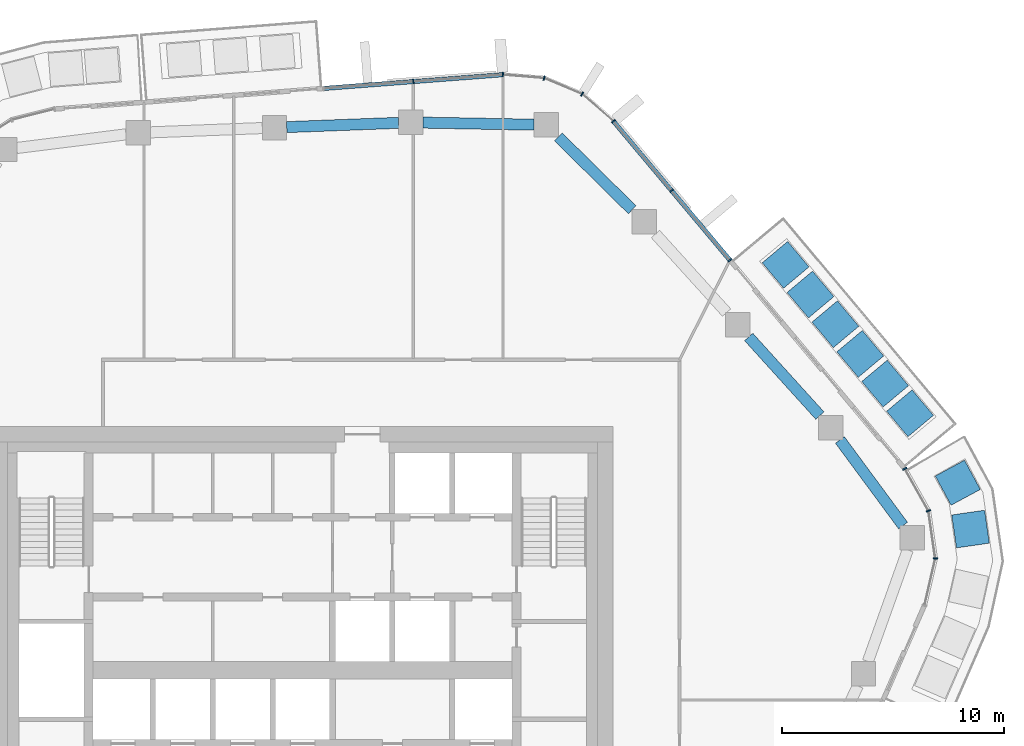
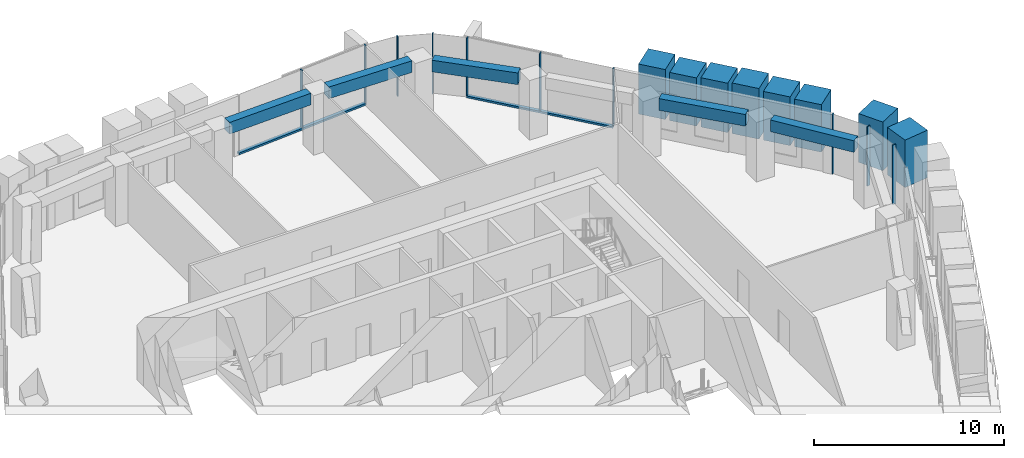
# One storey, part 8 of 20: 20 members, 5 beams, 4 elements without a shape of their own.
"""IFC4 building model written with IfcOpenShell, lengths in metres."""

import ifcopenshell
import ifcopenshell.guid

model = None  # the IFC model being written
_history = None  # IfcOwnerHistory: only IFC2X3 demands one
_inside = {}  # id of a spatial element -> (the spatial element, [elements in it])
_under = {}  # id of a project, library or spatial element -> (it, [spatial elements below it])
_declared = {}  # id of a project -> (the project, [libraries it declares])
_typed = {}  # id of a type object -> (the type object, [elements of that type])
_made_of = {}  # id of a material, layer set ... -> (it, [elements and type objects made of it])


def new_model(schema):
    """Start an empty IFC model of exactly this schema.

    Asked for "IFC4X3", IfcOpenShell would pick the latest addendum, in which some entities
    have other attributes; the version numbers below select the first issue.
    IFC2X3 requires an IfcOwnerHistory on every rooted entity: one is made here for all.
    """
    global model, _history
    if schema == "IFC4X3":
        model = ifcopenshell.file(schema_version=(4, 3, 0, 0))
    else:
        model = ifcopenshell.file(schema=schema)
    _inside.clear()
    _under.clear()
    _declared.clear()
    _typed.clear()
    _made_of.clear()
    _history = None
    if model.schema == "IFC2X3":
        org = make("IfcOrganization", Name="unknown")
        user = make(
            "IfcPersonAndOrganization",
            ThePerson=make("IfcPerson", FamilyName="unknown"),
            TheOrganization=org,
        )
        app = make(
            "IfcApplication",
            ApplicationDeveloper=org,
            Version="unknown",
            ApplicationFullName="unknown",
            ApplicationIdentifier="unknown",
        )
        _history = make(
            "IfcOwnerHistory",
            OwningUser=user,
            OwningApplication=app,
            ChangeAction="ADDED",
            CreationDate=0,
        )
    return model


def make(cls, **values):
    """One entity of the class cls with the attributes given. An attribute that is None is left unset."""
    return model.create_entity(
        cls, **{name: value for name, value in values.items() if value is not None}
    )


def rooted(cls, **values):
    """An entity with a GlobalId (a new one), such as an element, a storey or a relation."""
    return make(cls, GlobalId=ifcopenshell.guid.new(), OwnerHistory=_history, **values)


def si_unit(unit_type, name, prefix=None):
    """IfcSIUnit, for example si_unit("LENGTHUNIT", "METRE", prefix="MILLI")."""
    return make("IfcSIUnit", UnitType=unit_type, Prefix=prefix, Name=name)


def assignment(units):
    """IfcUnitAssignment: the units of a project."""
    return None if units is None else make("IfcUnitAssignment", Units=units)


def point(xyz):
    """IfcCartesianPoint."""
    return None if xyz is None else make("IfcCartesianPoint", Coordinates=xyz)


def direction(xyz):
    """IfcDirection."""
    return None if xyz is None else make("IfcDirection", DirectionRatios=xyz)


def frame(location, z_axis=None, x_axis=None):
    """IfcAxis2Placement3D, a coordinate frame: its origin and axes. An axis left out is left unset."""
    return make(
        "IfcAxis2Placement3D",
        Location=point(location),
        Axis=direction(z_axis),
        RefDirection=direction(x_axis),
    )


def frame_2d(location, x_axis=None):
    """IfcAxis2Placement2D, a coordinate frame in the plane: its origin and x axis."""
    return make(
        "IfcAxis2Placement2D", Location=point(location), RefDirection=direction(x_axis)
    )


def origin():
    """The frame at (0, 0, 0) with its axes left unset."""
    return frame((0.0, 0.0, 0.0))


def origin_2d():
    """The frame at (0, 0) in the plane with its x axis left unset."""
    return frame_2d((0.0, 0.0))


def place(relative_to, where):
    """IfcLocalPlacement: puts the frame where relative to a parent placement (None: the world)."""
    return make(
        "IfcLocalPlacement", PlacementRelTo=relative_to, RelativePlacement=where
    )


def context(
    kind, dimensions, precision=None, world=None, true_north=None, identifier=None
):
    """IfcGeometricRepresentationContext, for example the 3D "Model" context."""
    return make(
        "IfcGeometricRepresentationContext",
        ContextIdentifier=identifier,
        ContextType=kind,
        CoordinateSpaceDimension=dimensions,
        Precision=precision,
        WorldCoordinateSystem=world,
        TrueNorth=true_north,
    )


def subcontext(parent, identifier, kind, view, scale=None):
    """IfcGeometricRepresentationSubContext, for example "Body" below "Model"."""
    return make(
        "IfcGeometricRepresentationSubContext",
        ContextIdentifier=identifier,
        ContextType=kind,
        ParentContext=parent,
        TargetScale=scale,
        TargetView=view,
    )


def project(units=None, contexts=None):
    """IfcProject with its units and contexts."""
    return rooted(
        "IfcProject",
        Name="project",
        RepresentationContexts=contexts,
        UnitsInContext=assignment(units),
    )


def spatial(cls, under=None, at=None, **own):
    """A site, building, storey or space (cls), placed at a placement, below another one or the project."""
    s = rooted(cls, ObjectPlacement=at, **own)
    if under is not None:
        _under.setdefault(under.id(), (under, []))[1].append(s)
    return s


def profile(cls, at=None, kind="AREA", **sizes):
    """A parametric profile (cls). Its sizes go by their IFC names, for example OverallWidth=200.0."""
    return make(cls, ProfileType=kind, Position=at, **sizes)


def rectangle(**sizes):
    """IfcRectangleProfileDef."""
    return profile("IfcRectangleProfileDef", **sizes)


def extrude(swept, where, along, depth):
    """IfcExtrudedAreaSolid: the profile swept, set in the frame where, extruded along a direction by depth."""
    return make(
        "IfcExtrudedAreaSolid",
        SweptArea=swept,
        Position=where,
        ExtrudedDirection=direction(along),
        Depth=depth,
    )


def shape(context_of_items, identifier, shape_type, items):
    """IfcShapeRepresentation: the items that make up one representation, for example the "Body"."""
    return make(
        "IfcShapeRepresentation",
        ContextOfItems=context_of_items,
        RepresentationIdentifier=identifier,
        RepresentationType=shape_type,
        Items=items,
    )


def material(Name=None, Category=None):
    """IfcMaterial."""
    return make("IfcMaterial", Name=Name, Category=Category)


def layer(
    of_material, thickness, ventilated=None, Name=None, Category=None, Priority=None
):
    """IfcMaterialLayer: one layer of a wall or slab, of a material (None: an air gap)."""
    return make(
        "IfcMaterialLayer",
        Material=of_material,
        LayerThickness=thickness,
        IsVentilated=ventilated,
        Name=Name,
        Category=Category,
        Priority=Priority,
    )


def layer_set(layers, Name=None):
    """IfcMaterialLayerSet."""
    return make("IfcMaterialLayerSet", MaterialLayers=layers, LayerSetName=Name)


def material_profile(
    of_material, cross_section, Name=None, Category=None, Priority=None
):
    """IfcMaterialProfile: a cross section and its material."""
    return make(
        "IfcMaterialProfile",
        Name=Name,
        Material=of_material,
        Profile=cross_section,
        Priority=Priority,
        Category=Category,
    )


def profile_set(profiles, Name=None, composite=None):
    """IfcMaterialProfileSet."""
    return make(
        "IfcMaterialProfileSet",
        Name=Name,
        MaterialProfiles=profiles,
        CompositeProfile=composite,
    )


def made_of(thing, what):
    """Note that an element or type object is made of a material, layer set ...; save() writes the relation."""
    if what is not None:
        _made_of.setdefault(what.id(), (what, []))[1].append(thing)
    return thing


def type_object(cls, material=None, **own):
    """A type object (cls), such as IfcWallType, which elements share."""
    return made_of(rooted(cls, **own), material)


def element(
    cls,
    number,
    at=None,
    inside=None,
    cuts=None,
    type_object=None,
    material=None,
    context=None,
    identifier="Body",
    shape_type=None,
    held_by="IfcProductDefinitionShape",
    body=None,
    shapes=None,
    **own,
):
    """One element of the class cls, such as IfcWall. Its Tag is "e" and its number.

    at: its placement. inside: the storey or other place that contains it. cuts: it is an
    opening in that element (IfcRelVoidsElement). A single representation is given by context,
    identifier, shape_type and body (its items); several are given by shapes. held_by: the class
    of the entity that holds the representations. save() writes the other relations.
    """
    e = rooted(cls, Tag="e%d" % number, ObjectPlacement=at, **own)
    if body is not None:
        shapes = [shape(context, identifier, shape_type, body)]
    if shapes is not None:
        e.Representation = make(held_by, Representations=shapes)
    if inside is not None:
        _inside.setdefault(inside.id(), (inside, []))[1].append(e)
    if cuts is not None:
        rooted(
            "IfcRelVoidsElement", RelatingBuildingElement=cuts, RelatedOpeningElement=e
        )
    if type_object is not None:
        _typed.setdefault(type_object.id(), (type_object, []))[1].append(e)
    return made_of(e, material)


def aggregate(whole, parts):
    """IfcRelAggregates: a whole, such as a stair, and the parts it consists of."""
    return rooted("IfcRelAggregates", RelatingObject=whole, RelatedObjects=parts)


def save(model, path):
    """Write the relations noted so far, then the file.

    IfcRelAggregates (storeys below a building ...), IfcRelContainedInSpatialStructure (elements
    in a storey), IfcRelDefinesByType, IfcRelAssociatesMaterial and IfcRelDeclares: one each for
    every whole, place, type object, material and project.
    """
    for whole, parts in _under.values():
        aggregate(whole, parts)
    for where, things in _inside.values():
        rooted(
            "IfcRelContainedInSpatialStructure",
            RelatedElements=things,
            RelatingStructure=where,
        )
    for kind, things in _typed.values():
        rooted("IfcRelDefinesByType", RelatedObjects=things, RelatingType=kind)
    for what, things in _made_of.values():
        rooted("IfcRelAssociatesMaterial", RelatedObjects=things, RelatingMaterial=what)
    for by, libraries in _declared.values():
        rooted("IfcRelDeclares", RelatingContext=by, RelatedDefinitions=libraries)
    model.write(path)


model = new_model("IFC4")

# Units and contexts
model_context = context("Model", 3, precision=1e-05, world=origin(), true_north=direction((0.0, 1.0)))
body_context = subcontext(model_context, "Body", "Model", "MODEL_VIEW")
ifc_project = project(units=[si_unit("LENGTHUNIT", "METRE"), si_unit("AREAUNIT", "SQUARE_METRE"), si_unit("VOLUMEUNIT", "CUBIC_METRE"), si_unit("PLANEANGLEUNIT", "RADIAN"), si_unit("MASSUNIT", "GRAM", prefix="KILO")], contexts=[model_context])

# Site, building, storey
site_placement = place(None, origin())
site = spatial("IfcSite", under=ifc_project, at=site_placement, CompositionType="ELEMENT")
building_placement = place(site_placement, origin())
building = spatial("IfcBuilding", under=site, at=building_placement, Name="Dongbaek Canopy Tower", CompositionType="ELEMENT")
storey_placement = place(building_placement, frame((0.0, 0.0, 245.39990234375)))
storey = spatial("IfcBuildingStorey", under=building, at=storey_placement, Name="L51", CompositionType="ELEMENT", Elevation=245.39990234375)

# Curtain wall, members
ifc_material_1 = material(Name="Aluminium 6063-T6 pale anodised", Category="aluminium")
ifc_layer = layer(ifc_material_1, 0.199951171875)
ifc_layer_set = layer_set([ifc_layer], Name="CW-1 unitised tower curtain wall")
curtain_wall_type = type_object("IfcCurtainWallType", Name="CW-1 unitised tower curtain wall", PredefinedType="NOTDEFINED", material=ifc_layer_set)
curtain_wall_1_placement = place(storey_placement, origin())
curtain_wall_1 = element("IfcCurtainWall", 1, at=curtain_wall_1_placement, inside=storey, type_object=curtain_wall_type, Name="CW-1 curtain wall K0.1", PredefinedType="NOTDEFINED")
ifc_material_2 = material(Name="Aluminium 6063-T6 pale anodised", Category="aluminium")
ifc_material_profile_1 = material_profile(ifc_material_2, rectangle(XDim=0.199951171875, YDim=0.06005859375, at=origin_2d()), Name="CW-1 mullion 60 x 200")
ifc_profile_set_1 = profile_set([ifc_material_profile_1], Name="Aluminium 6063-T6 pale anodised")
member_type_1 = type_object("IfcMemberType", Name="CW-1 mullion 60 x 200", PredefinedType="MULLION", material=ifc_profile_set_1)
member_1_placement = place(storey_placement, frame((28.53955078125, 5.045654296875, 0.0), z_axis=(0.0, 0.0, 1.0), x_axis=(0.999117267787, -0.042008156467, 0.0)))
member_1 = element("IfcMember", 2, at=member_1_placement, type_object=member_type_1, Name="CW-1 mullion K0.1.2", PredefinedType="MULLION", context=body_context, shape_type="SweptSolid", body=[
    extrude(rectangle(XDim=0.199951171875, YDim=0.06005859375, at=origin_2d()), origin(), (0.0, 0.0, 1.0), 3.820068359375),
])
member_2_placement = place(storey_placement, frame((28.230712890625, 7.192626953125, 0.0), z_axis=(0.0, 0.0, 1.0), x_axis=(0.946753542922, 0.321959203881, 0.0)))
member_2 = element("IfcMember", 3, at=member_2_placement, type_object=member_type_1, Name="CW-1 mullion K0.1.3", PredefinedType="MULLION", context=body_context, shape_type="SweptSolid", body=[
    extrude(rectangle(XDim=0.199951171875, YDim=0.06005859375, at=origin_2d()), origin(), (0.0, 0.0, 1.0), 3.820068359375),
])
member_3_placement = place(storey_placement, frame((27.162109375, 9.0908203125, 0.0), z_axis=(0.0, 0.0, 1.0), x_axis=(0.871419575453, 0.490538401675, 0.0)))
member_3 = element("IfcMember", 4, at=member_3_placement, type_object=member_type_1, Name="CW-1 mullion K0.1.4", PredefinedType="MULLION", context=body_context, shape_type="SweptSolid", body=[
    extrude(rectangle(XDim=0.199951171875, YDim=0.06005859375, at=origin_2d()), origin(), (0.0, 0.0, 1.0), 3.820068359375),
])
aggregate(curtain_wall_1, [member_1, member_2, member_3])

curtain_wall_2_placement = place(storey_placement, origin())
curtain_wall_2 = element("IfcCurtainWall", 5, at=curtain_wall_2_placement, inside=storey, type_object=curtain_wall_type, Name="CW-1 curtain wall F0.1", PredefinedType="NOTDEFINED")
member_4_placement = place(storey_placement, frame((19.27685546875, 18.497802734375, 0.1201171875), z_axis=(0.0, 0.0, 1.0), x_axis=(0.766375296025, 0.64239310834, 0.0)))
member_4 = element("IfcMember", 6, at=member_4_placement, type_object=member_type_1, Name="CW-1 mullion F0.1.1", PredefinedType="MULLION", context=body_context, shape_type="SweptSolid", body=[
    extrude(rectangle(XDim=0.199951171875, YDim=0.06005859375, at=origin_2d()), origin(), (0.0, 0.0, 1.0), 3.699951171875),
])
member_5_placement = place(storey_placement, frame((16.646484375, 21.6357421875, 0.1201171875), z_axis=(0.0, 0.0, 1.0), x_axis=(0.766375296025, 0.64239310834, 0.0)))
member_5 = element("IfcMember", 7, at=member_5_placement, type_object=member_type_1, Name="CW-1 mullion F0.1.2", PredefinedType="MULLION", context=body_context, shape_type="SweptSolid", body=[
    extrude(rectangle(XDim=0.199951171875, YDim=0.06005859375, at=origin_2d()), origin(), (0.0, 0.0, 1.0), 3.699951171875),
])
member_6_placement = place(storey_placement, frame((14.021240234375, 24.767822265625, 0.1201171875), z_axis=(0.0, 0.0, 1.0), x_axis=(0.766375296025, 0.64239310834, 0.0)))
member_6 = element("IfcMember", 8, at=member_6_placement, type_object=member_type_1, Name="CW-1 mullion F0.1.3", PredefinedType="MULLION", context=body_context, shape_type="SweptSolid", body=[
    extrude(rectangle(XDim=0.199951171875, YDim=0.06005859375, at=origin_2d()), origin(), (0.0, 0.0, 1.0), 3.699951171875),
])

curtain_wall_3_placement = place(storey_placement, origin())
curtain_wall_3 = element("IfcCurtainWall", 9, at=curtain_wall_3_placement, inside=storey, type_object=curtain_wall_type, Name="CW-1 curtain wall K1.1", PredefinedType="NOTDEFINED")
member_7_placement = place(storey_placement, frame((12.61083984375, 25.9921875, 0.0), z_axis=(0.0, 0.0, 1.0), x_axis=(0.528292806273, 0.849062253808, 0.0)))
member_7 = element("IfcMember", 10, at=member_7_placement, type_object=member_type_1, Name="CW-1 mullion K1.1.2", PredefinedType="MULLION", context=body_context, shape_type="SweptSolid", body=[
    extrude(rectangle(XDim=0.199951171875, YDim=0.06005859375, at=origin_2d()), origin(), (0.0, 0.0, 1.0), 3.820068359375),
])
member_8_placement = place(storey_placement, frame((10.896728515625, 26.71337890625, 0.0), z_axis=(0.0, 0.0, 1.0), x_axis=(0.237700437718, 0.971338510463, 0.0)))
member_8 = element("IfcMember", 11, at=member_8_placement, type_object=member_type_1, Name="CW-1 mullion K1.1.3", PredefinedType="MULLION", context=body_context, shape_type="SweptSolid", body=[
    extrude(rectangle(XDim=0.199951171875, YDim=0.06005859375, at=origin_2d()), origin(), (0.0, 0.0, 1.0), 3.820068359375),
])
member_9_placement = place(storey_placement, frame((9.03515625, 26.86572265625, 0.0), z_axis=(0.0, 0.0, 1.0), x_axis=(0.081611441315, 0.996664222618, 0.0)))
member_9 = element("IfcMember", 12, at=member_9_placement, type_object=member_type_1, Name="CW-1 mullion K1.1.4", PredefinedType="MULLION", context=body_context, shape_type="SweptSolid", body=[
    extrude(rectangle(XDim=0.199951171875, YDim=0.06005859375, at=origin_2d()), origin(), (0.0, 0.0, 1.0), 3.820068359375),
])
aggregate(curtain_wall_3, [member_7, member_8, member_9])

# Curtain wall, member
curtain_wall_4_placement = place(storey_placement, origin())
curtain_wall_4 = element("IfcCurtainWall", 13, at=curtain_wall_4_placement, inside=storey, type_object=curtain_wall_type, Name="CW-1 curtain wall F1.1", PredefinedType="NOTDEFINED")
member_10_placement = place(storey_placement, frame((4.994140625, 26.5556640625, 0.1201171875), z_axis=(0.0, 0.0, 1.0), x_axis=(-0.076518262748, 0.997068179949, 0.0)))
member_10 = element("IfcMember", 14, at=member_10_placement, type_object=member_type_1, Name="CW-1 mullion F1.1.2", PredefinedType="MULLION", context=body_context, shape_type="SweptSolid", body=[
    extrude(rectangle(XDim=0.199951171875, YDim=0.06005859375, at=origin_2d()), origin(), (0.0, 0.0, 1.0), 3.699951171875),
])

# Member
ifc_material_3 = material(Name="Aluminium 6063-T6 pale anodised", Category="aluminium")
ifc_material_profile_2 = material_profile(ifc_material_3, rectangle(XDim=0.199951171875, YDim=0.1201171875, at=origin_2d()), Name="CW-1 transom 120 x 200")
ifc_profile_set_2 = profile_set([ifc_material_profile_2], Name="Aluminium 6063-T6 pale anodised")
member_type_2 = type_object("IfcMemberType", Name="CW-1 transom 120 x 200", PredefinedType="USERDEFINED", material=ifc_profile_set_2)
member_11_placement = place(storey_placement, frame((19.27685546875, 18.497802734375, 0.06005859375), z_axis=(-0.642389019021, 0.766378723766, 0.0), x_axis=(-0.766378723766, -0.642389019021, 0.0)))
member_11 = element("IfcMember", 15, at=member_11_placement, type_object=member_type_2, Name="CW-1 transom F0.1.1", ObjectType="TRANSOM", PredefinedType="USERDEFINED", context=body_context, shape_type="SweptSolid", body=[
    extrude(rectangle(XDim=0.199951171875, YDim=0.1201171875, at=origin_2d()), origin(), (0.0, 0.0, 1.0), 8.181396484375),
])

aggregate(curtain_wall_2, [member_4, member_5, member_6, member_11])

member_12_placement = place(storey_placement, frame((9.03515625, 26.86572265625, 0.06005859375), z_axis=(-0.997068275016, -0.076517023972, 0.0), x_axis=(0.076517023972, -0.997068275016, 0.0)))
member_12 = element("IfcMember", 16, at=member_12_placement, type_object=member_type_2, Name="CW-1 transom F1.1.1", ObjectType="TRANSOM", PredefinedType="USERDEFINED", context=body_context, shape_type="SweptSolid", body=[
    extrude(rectangle(XDim=0.199951171875, YDim=0.1201171875, at=origin_2d()), origin(), (0.0, 0.0, 1.0), 8.11376953125),
])

aggregate(curtain_wall_4, [member_10, member_12])

# Beams
ifc_material_4 = material(Name="Concrete C70", Category="concrete")
ifc_material_profile_3 = material_profile(ifc_material_4, rectangle(XDim=0.5, YDim=0.75, at=origin_2d()), Name="RC EDGE BEAM 500x750 C70")
ifc_profile_set_3 = profile_set([ifc_material_profile_3], Name="Concrete C70")
beam_type = type_object("IfcBeamType", Name="RC EDGE BEAM 500x750 C70", PredefinedType="BEAM", material=ifc_profile_set_3)
beam_1_placement = place(storey_placement, frame((-0.716064453125, 24.5, 3.445068359375), z_axis=(0.999269359521, 0.038219721647, 0.0), x_axis=(-0.038219721647, 0.999269359521, 0.0)))
element("IfcBeam", 17, at=beam_1_placement, inside=storey, type_object=beam_type, Name="EDGEBEAM:L51:15", PredefinedType="BEAM", context=body_context, shape_type="SweptSolid", body=[
    extrude(rectangle(XDim=0.5, YDim=0.75, at=origin_2d()), origin(), (0.0, 0.0, 1.0), 5.052734375),
])
beam_2_placement = place(storey_placement, frame((5.43310546875, 24.70361328125, 3.445068359375), z_axis=(0.999822914654, -0.018818590065, 0.0), x_axis=(0.018818590065, 0.999822914654, 0.0)))
element("IfcBeam", 18, at=beam_2_placement, inside=storey, type_object=beam_type, Name="EDGEBEAM:L51:16", PredefinedType="BEAM", context=body_context, shape_type="SweptSolid", body=[
    extrude(rectangle(XDim=0.5, YDim=0.75, at=origin_2d()), origin(), (0.0, 0.0, 1.0), 5.0078125),
])
beam_3_placement = place(storey_placement, frame((11.5400390625, 24.05615234375, 3.445068359375), z_axis=(0.711738619198, -0.70244440203, 0.0), x_axis=(0.70244440203, 0.711738619198, 0.0)))
element("IfcBeam", 19, at=beam_3_placement, inside=storey, type_object=beam_type, Name="EDGEBEAM:L51:17", PredefinedType="BEAM", context=body_context, shape_type="SweptSolid", body=[
    extrude(rectangle(XDim=0.5, YDim=0.75, at=origin_2d()), origin(), (0.0, 0.0, 1.0), 4.67578125),
])
beam_4_placement = place(storey_placement, frame((20.123046875, 15.033935546875, 3.445068359375), z_axis=(0.671218045362, -0.741259964911, 0.0), x_axis=(0.741259964911, 0.671218045362, 0.0)))
element("IfcBeam", 20, at=beam_4_placement, inside=storey, type_object=beam_type, Name="EDGEBEAM:L51:19", PredefinedType="BEAM", context=body_context, shape_type="SweptSolid", body=[
    extrude(rectangle(XDim=0.5, YDim=0.75, at=origin_2d()), origin(), (0.0, 0.0, 1.0), 4.7822265625),
])
beam_5_placement = place(storey_placement, frame((24.23681640625, 10.388916015625, 3.445068359375), z_axis=(0.593714292615, -0.804675921564, 0.0), x_axis=(0.804675921564, 0.593714292615, 0.0)))
element("IfcBeam", 21, at=beam_5_placement, inside=storey, type_object=beam_type, Name="EDGEBEAM:L51:20", PredefinedType="BEAM", context=body_context, shape_type="SweptSolid", body=[
    extrude(rectangle(XDim=0.5, YDim=0.75, at=origin_2d()), origin(), (0.0, 0.0, 1.0), 4.79931640625),
])

# Members
ifc_material_5 = material(Name="Concrete C40/50 planter mass with planting", Category="concrete")
ifc_material_profile_4 = material_profile(ifc_material_5, rectangle(XDim=1.5, YDim=1.5, at=origin_2d()), Name="Terrace PLANTER shrub mass 1500 x 1500")
ifc_profile_set_4 = profile_set([ifc_material_profile_4], Name="Concrete C40/50 planter mass with planting")
member_type_3 = type_object("IfcMemberType", Name="Terrace PLANTER shrub mass 1500 x 1500", PredefinedType="USERDEFINED", material=ifc_profile_set_4)
member_13_placement = place(storey_placement, frame((27.400390625, 11.5927734375, 0.420166015625), z_axis=(0.0, 0.0, 1.0), x_axis=(0.766375296025, 0.64239310834, 0.0)))
element("IfcMember", 22, at=member_13_placement, inside=storey, type_object=member_type_3, Name="Planter shrubs L51 1.1", ObjectType="PLANTER", PredefinedType="USERDEFINED", context=body_context, shape_type="SweptSolid", body=[
    extrude(rectangle(XDim=1.5, YDim=1.5, at=origin_2d()), origin(), (0.0, 0.0, 1.0), 3.050048828125),
])
member_14_placement = place(storey_placement, frame((26.278076171875, 12.931884765625, 0.420166015625), z_axis=(0.0, 0.0, 1.0), x_axis=(0.766375296025, 0.64239310834, 0.0)))
element("IfcMember", 23, at=member_14_placement, inside=storey, type_object=member_type_3, Name="Planter shrubs L51 1.2", ObjectType="PLANTER", PredefinedType="USERDEFINED", context=body_context, shape_type="SweptSolid", body=[
    extrude(rectangle(XDim=1.5, YDim=1.5, at=origin_2d()), origin(), (0.0, 0.0, 1.0), 3.1298828125),
])
member_15_placement = place(storey_placement, frame((25.155517578125, 14.27099609375, 0.420166015625), z_axis=(0.0, 0.0, 1.0), x_axis=(0.766375296025, 0.64239310834, 0.0)))
element("IfcMember", 24, at=member_15_placement, inside=storey, type_object=member_type_3, Name="Planter shrubs L51 1.3", ObjectType="PLANTER", PredefinedType="USERDEFINED", context=body_context, shape_type="SweptSolid", body=[
    extrude(rectangle(XDim=1.5, YDim=1.5, at=origin_2d()), origin(), (0.0, 0.0, 1.0), 3.25),
])
member_16_placement = place(storey_placement, frame((24.033203125, 15.610107421875, 0.420166015625), z_axis=(0.0, 0.0, 1.0), x_axis=(0.766375296025, 0.64239310834, 0.0)))
element("IfcMember", 25, at=member_16_placement, inside=storey, type_object=member_type_3, Name="Planter shrubs L51 1.4", ObjectType="PLANTER", PredefinedType="USERDEFINED", context=body_context, shape_type="SweptSolid", body=[
    extrude(rectangle(XDim=1.5, YDim=1.5, at=origin_2d()), origin(), (0.0, 0.0, 1.0), 3.169921875),
])
member_17_placement = place(storey_placement, frame((22.91064453125, 16.94921875, 0.420166015625), z_axis=(0.0, 0.0, 1.0), x_axis=(0.766375296025, 0.64239310834, 0.0)))
element("IfcMember", 26, at=member_17_placement, inside=storey, type_object=member_type_3, Name="Planter shrubs L51 1.5", ObjectType="PLANTER", PredefinedType="USERDEFINED", context=body_context, shape_type="SweptSolid", body=[
    extrude(rectangle(XDim=1.5, YDim=1.5, at=origin_2d()), origin(), (0.0, 0.0, 1.0), 3.08984375),
])
member_18_placement = place(storey_placement, frame((21.7880859375, 18.288330078125, 0.420166015625), z_axis=(0.0, 0.0, 1.0), x_axis=(0.766375296025, 0.64239310834, 0.0)))
element("IfcMember", 27, at=member_18_placement, inside=storey, type_object=member_type_3, Name="Planter shrubs L51 1.6", ObjectType="PLANTER", PredefinedType="USERDEFINED", context=body_context, shape_type="SweptSolid", body=[
    extrude(rectangle(XDim=1.5, YDim=1.5, at=origin_2d()), origin(), (0.0, 0.0, 1.0), 3.2099609375),
])
member_19_placement = place(storey_placement, frame((30.12841796875, 6.369873046875, 0.420166015625), z_axis=(0.0, 0.0, 1.0), x_axis=(0.989808750638, 0.142403079882, 0.0)))
element("IfcMember", 28, at=member_19_placement, inside=storey, type_object=member_type_3, Name="Planter shrubs L51 6.4", ObjectType="PLANTER", PredefinedType="USERDEFINED", context=body_context, shape_type="SweptSolid", body=[
    extrude(rectangle(XDim=1.5, YDim=1.5, at=origin_2d()), origin(), (0.0, 0.0, 1.0), 3.050048828125),
])
member_20_placement = place(storey_placement, frame((29.55517578125, 8.459228515625, 0.420166015625), z_axis=(0.0, 0.0, 1.0), x_axis=(0.88028939917, 0.474437112491, 0.0)))
element("IfcMember", 29, at=member_20_placement, inside=storey, type_object=member_type_3, Name="Planter shrubs L51 6.5", ObjectType="PLANTER", PredefinedType="USERDEFINED", context=body_context, shape_type="SweptSolid", body=[
    extrude(rectangle(XDim=1.5, YDim=1.5, at=origin_2d()), origin(), (0.0, 0.0, 1.0), 3.1298828125),
])

save(model, "model.ifc")
